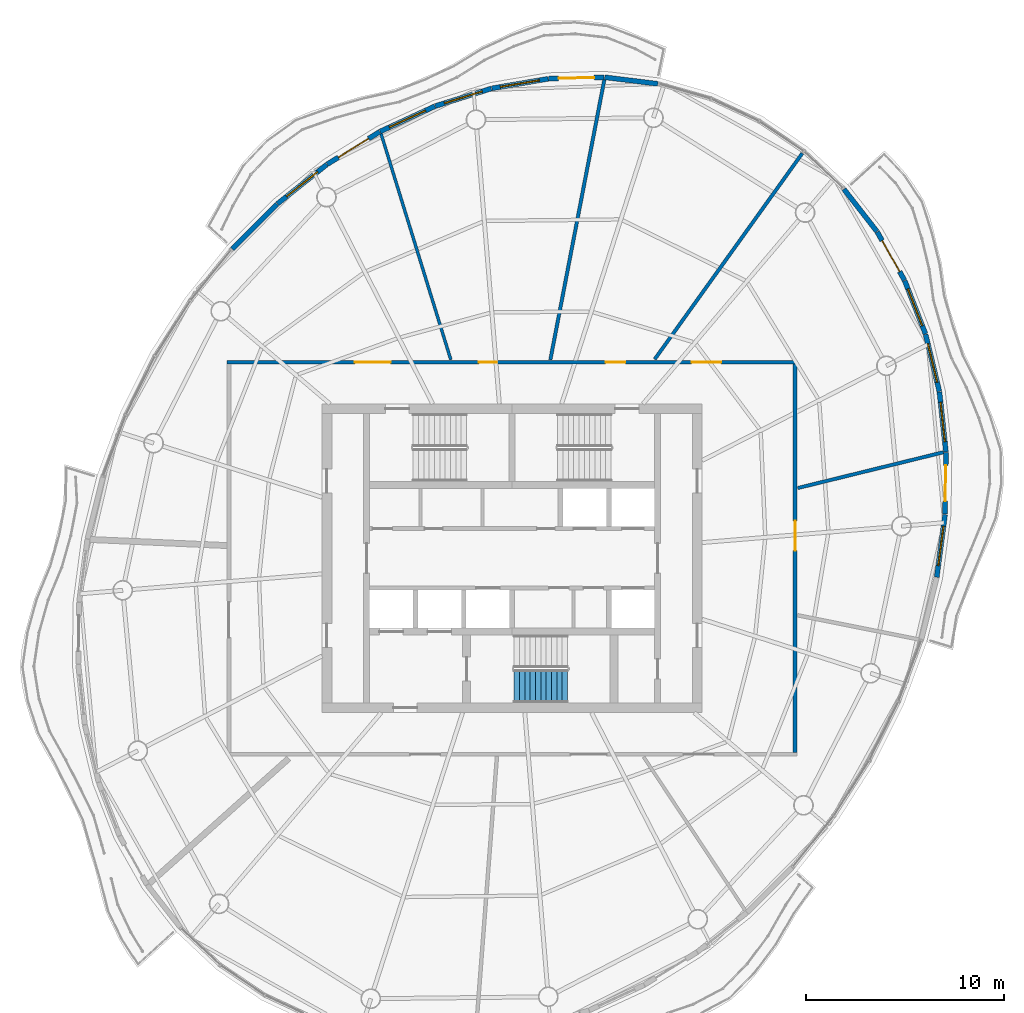
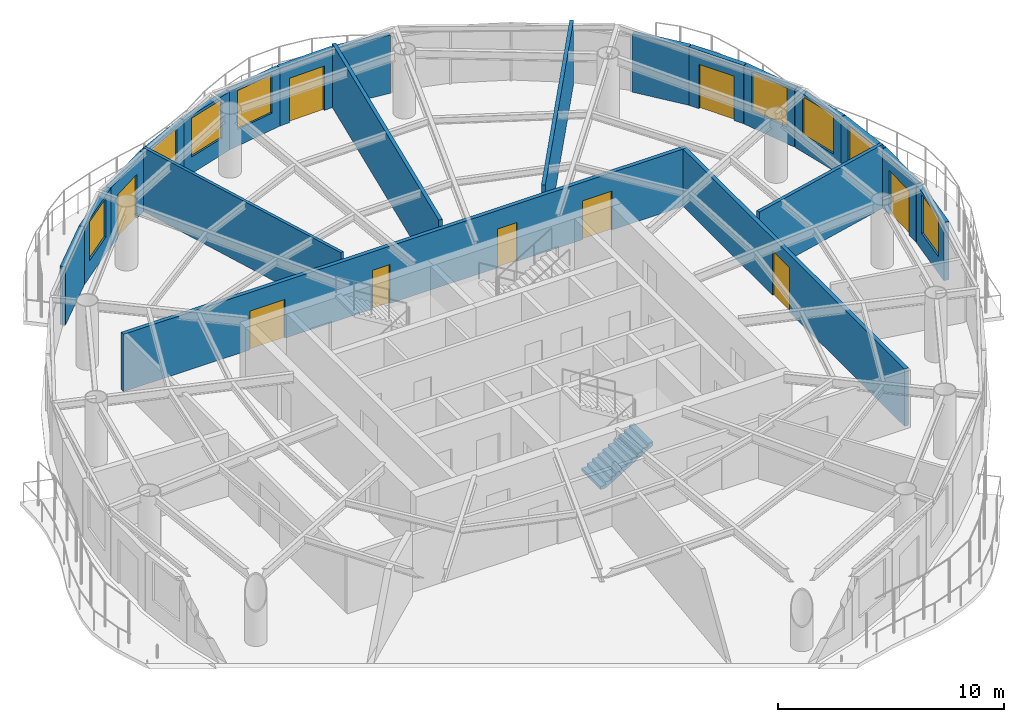
# One storey, part 9 of 13: 21 walls, 9 doors, 8 windows, 1 stair flight, 17 openings, 1 element without a shape of its own.
"""IFC4 building model written with IfcOpenShell, lengths in metres."""

import ifcopenshell
import ifcopenshell.guid

model = None  # the IFC model being written
_history = None  # IfcOwnerHistory: only IFC2X3 demands one
_inside = {}  # id of a spatial element -> (the spatial element, [elements in it])
_under = {}  # id of a project, library or spatial element -> (it, [spatial elements below it])
_declared = {}  # id of a project -> (the project, [libraries it declares])
_typed = {}  # id of a type object -> (the type object, [elements of that type])
_made_of = {}  # id of a material, layer set ... -> (it, [elements and type objects made of it])


def new_model(schema):
    """Start an empty IFC model of exactly this schema.

    Asked for "IFC4X3", IfcOpenShell would pick the latest addendum, in which some entities
    have other attributes; the version numbers below select the first issue.
    IFC2X3 requires an IfcOwnerHistory on every rooted entity: one is made here for all.
    """
    global model, _history
    if schema == "IFC4X3":
        model = ifcopenshell.file(schema_version=(4, 3, 0, 0))
    else:
        model = ifcopenshell.file(schema=schema)
    _inside.clear()
    _under.clear()
    _declared.clear()
    _typed.clear()
    _made_of.clear()
    _history = None
    if model.schema == "IFC2X3":
        org = make("IfcOrganization", Name="unknown")
        user = make(
            "IfcPersonAndOrganization",
            ThePerson=make("IfcPerson", FamilyName="unknown"),
            TheOrganization=org,
        )
        app = make(
            "IfcApplication",
            ApplicationDeveloper=org,
            Version="unknown",
            ApplicationFullName="unknown",
            ApplicationIdentifier="unknown",
        )
        _history = make(
            "IfcOwnerHistory",
            OwningUser=user,
            OwningApplication=app,
            ChangeAction="ADDED",
            CreationDate=0,
        )
    return model


def make(cls, **values):
    """One entity of the class cls with the attributes given. An attribute that is None is left unset."""
    return model.create_entity(
        cls, **{name: value for name, value in values.items() if value is not None}
    )


def rooted(cls, **values):
    """An entity with a GlobalId (a new one), such as an element, a storey or a relation."""
    return make(cls, GlobalId=ifcopenshell.guid.new(), OwnerHistory=_history, **values)


def si_unit(unit_type, name, prefix=None):
    """IfcSIUnit, for example si_unit("LENGTHUNIT", "METRE", prefix="MILLI")."""
    return make("IfcSIUnit", UnitType=unit_type, Prefix=prefix, Name=name)


def assignment(units):
    """IfcUnitAssignment: the units of a project."""
    return None if units is None else make("IfcUnitAssignment", Units=units)


def point(xyz):
    """IfcCartesianPoint."""
    return None if xyz is None else make("IfcCartesianPoint", Coordinates=xyz)


def direction(xyz):
    """IfcDirection."""
    return None if xyz is None else make("IfcDirection", DirectionRatios=xyz)


def frame(location, z_axis=None, x_axis=None):
    """IfcAxis2Placement3D, a coordinate frame: its origin and axes. An axis left out is left unset."""
    return make(
        "IfcAxis2Placement3D",
        Location=point(location),
        Axis=direction(z_axis),
        RefDirection=direction(x_axis),
    )


def frame_2d(location, x_axis=None):
    """IfcAxis2Placement2D, a coordinate frame in the plane: its origin and x axis."""
    return make(
        "IfcAxis2Placement2D", Location=point(location), RefDirection=direction(x_axis)
    )


def origin():
    """The frame at (0, 0, 0) with its axes left unset."""
    return frame((0.0, 0.0, 0.0))


def place(relative_to, where):
    """IfcLocalPlacement: puts the frame where relative to a parent placement (None: the world)."""
    return make(
        "IfcLocalPlacement", PlacementRelTo=relative_to, RelativePlacement=where
    )


def context(
    kind, dimensions, precision=None, world=None, true_north=None, identifier=None
):
    """IfcGeometricRepresentationContext, for example the 3D "Model" context."""
    return make(
        "IfcGeometricRepresentationContext",
        ContextIdentifier=identifier,
        ContextType=kind,
        CoordinateSpaceDimension=dimensions,
        Precision=precision,
        WorldCoordinateSystem=world,
        TrueNorth=true_north,
    )


def subcontext(parent, identifier, kind, view, scale=None):
    """IfcGeometricRepresentationSubContext, for example "Body" below "Model"."""
    return make(
        "IfcGeometricRepresentationSubContext",
        ContextIdentifier=identifier,
        ContextType=kind,
        ParentContext=parent,
        TargetScale=scale,
        TargetView=view,
    )


def project(units=None, contexts=None):
    """IfcProject with its units and contexts."""
    return rooted(
        "IfcProject",
        Name="project",
        RepresentationContexts=contexts,
        UnitsInContext=assignment(units),
    )


def spatial(cls, under=None, at=None, **own):
    """A site, building, storey or space (cls), placed at a placement, below another one or the project."""
    s = rooted(cls, ObjectPlacement=at, **own)
    if under is not None:
        _under.setdefault(under.id(), (under, []))[1].append(s)
    return s


def polyline(points):
    """IfcPolyline through the points."""
    return make("IfcPolyline", Points=[point(p) for p in points])


def profile(cls, at=None, kind="AREA", **sizes):
    """A parametric profile (cls). Its sizes go by their IFC names, for example OverallWidth=200.0."""
    return make(cls, ProfileType=kind, Position=at, **sizes)


def rectangle(**sizes):
    """IfcRectangleProfileDef."""
    return profile("IfcRectangleProfileDef", **sizes)


def outline(outer, holes=None, kind="AREA"):
    """IfcArbitraryClosedProfileDef: a profile drawn as a closed curve; with holes, ...WithVoids."""
    if holes is None:
        return make("IfcArbitraryClosedProfileDef", ProfileType=kind, OuterCurve=outer)
    return make(
        "IfcArbitraryProfileDefWithVoids",
        ProfileType=kind,
        OuterCurve=outer,
        InnerCurves=holes,
    )


def extrude(swept, where, along, depth):
    """IfcExtrudedAreaSolid: the profile swept, set in the frame where, extruded along a direction by depth."""
    return make(
        "IfcExtrudedAreaSolid",
        SweptArea=swept,
        Position=where,
        ExtrudedDirection=direction(along),
        Depth=depth,
    )


def shape(context_of_items, identifier, shape_type, items):
    """IfcShapeRepresentation: the items that make up one representation, for example the "Body"."""
    return make(
        "IfcShapeRepresentation",
        ContextOfItems=context_of_items,
        RepresentationIdentifier=identifier,
        RepresentationType=shape_type,
        Items=items,
    )


def material(Name=None, Category=None):
    """IfcMaterial."""
    return make("IfcMaterial", Name=Name, Category=Category)


def layer(
    of_material, thickness, ventilated=None, Name=None, Category=None, Priority=None
):
    """IfcMaterialLayer: one layer of a wall or slab, of a material (None: an air gap)."""
    return make(
        "IfcMaterialLayer",
        Material=of_material,
        LayerThickness=thickness,
        IsVentilated=ventilated,
        Name=Name,
        Category=Category,
        Priority=Priority,
    )


def layer_set(layers, Name=None):
    """IfcMaterialLayerSet."""
    return make("IfcMaterialLayerSet", MaterialLayers=layers, LayerSetName=Name)


def made_of(thing, what):
    """Note that an element or type object is made of a material, layer set ...; save() writes the relation."""
    if what is not None:
        _made_of.setdefault(what.id(), (what, []))[1].append(thing)
    return thing


def type_object(cls, material=None, **own):
    """A type object (cls), such as IfcWallType, which elements share."""
    return made_of(rooted(cls, **own), material)


def element(
    cls,
    number,
    at=None,
    inside=None,
    cuts=None,
    type_object=None,
    material=None,
    context=None,
    identifier="Body",
    shape_type=None,
    held_by="IfcProductDefinitionShape",
    body=None,
    shapes=None,
    **own,
):
    """One element of the class cls, such as IfcWall. Its Tag is "e" and its number.

    at: its placement. inside: the storey or other place that contains it. cuts: it is an
    opening in that element (IfcRelVoidsElement). A single representation is given by context,
    identifier, shape_type and body (its items); several are given by shapes. held_by: the class
    of the entity that holds the representations. save() writes the other relations.
    """
    e = rooted(cls, Tag="e%d" % number, ObjectPlacement=at, **own)
    if body is not None:
        shapes = [shape(context, identifier, shape_type, body)]
    if shapes is not None:
        e.Representation = make(held_by, Representations=shapes)
    if inside is not None:
        _inside.setdefault(inside.id(), (inside, []))[1].append(e)
    if cuts is not None:
        rooted(
            "IfcRelVoidsElement", RelatingBuildingElement=cuts, RelatedOpeningElement=e
        )
    if type_object is not None:
        _typed.setdefault(type_object.id(), (type_object, []))[1].append(e)
    return made_of(e, material)


def fill(opening, filler):
    """IfcRelFillsElement: the door or window that sits in an opening."""
    return rooted(
        "IfcRelFillsElement",
        RelatingOpeningElement=opening,
        RelatedBuildingElement=filler,
    )


def aggregate(whole, parts):
    """IfcRelAggregates: a whole, such as a stair, and the parts it consists of."""
    return rooted("IfcRelAggregates", RelatingObject=whole, RelatedObjects=parts)


def save(model, path):
    """Write the relations noted so far, then the file.

    IfcRelAggregates (storeys below a building ...), IfcRelContainedInSpatialStructure (elements
    in a storey), IfcRelDefinesByType, IfcRelAssociatesMaterial and IfcRelDeclares: one each for
    every whole, place, type object, material and project.
    """
    for whole, parts in _under.values():
        aggregate(whole, parts)
    for where, things in _inside.values():
        rooted(
            "IfcRelContainedInSpatialStructure",
            RelatedElements=things,
            RelatingStructure=where,
        )
    for kind, things in _typed.values():
        rooted("IfcRelDefinesByType", RelatedObjects=things, RelatingType=kind)
    for what, things in _made_of.values():
        rooted("IfcRelAssociatesMaterial", RelatedObjects=things, RelatingMaterial=what)
    for by, libraries in _declared.values():
        rooted("IfcRelDeclares", RelatingContext=by, RelatedDefinitions=libraries)
    model.write(path)


model = new_model("IFC4")

# Units and contexts
model_context = context("Model", 3, precision=1e-05, world=origin(), true_north=direction((0.0, 1.0)))
body_context = subcontext(model_context, "Body", "Model", "MODEL_VIEW")
ifc_project = project(units=[si_unit("LENGTHUNIT", "METRE"), si_unit("AREAUNIT", "SQUARE_METRE"), si_unit("VOLUMEUNIT", "CUBIC_METRE"), si_unit("PLANEANGLEUNIT", "RADIAN"), si_unit("MASSUNIT", "GRAM", prefix="KILO")], contexts=[model_context])

# Site, building, storey
site_placement = place(None, origin())
site = spatial("IfcSite", under=ifc_project, at=site_placement, CompositionType="ELEMENT")
building_placement = place(site_placement, origin())
building = spatial("IfcBuilding", under=site, at=building_placement, Name="Vermilion Reach Broadcast Tower", CompositionType="ELEMENT")
storey_placement = place(building_placement, frame((0.0, 0.0, 275.699951171875)))
storey = spatial("IfcBuildingStorey", under=building, at=storey_placement, Name="L68", CompositionType="ELEMENT", Elevation=275.699951171875)

# Walls
ifc_material_1 = material(Name="Lightweight concrete block, plastered", Category="concrete")
ifc_layer_1 = layer(ifc_material_1, 0.14990234375)
ifc_layer_set_1 = layer_set([ifc_layer_1], Name="Partition 150 lightweight block")
wall_type_1 = type_object("IfcWallType", Name="Partition 150 lightweight block", PredefinedType="PARTITIONING", material=ifc_layer_set_1)
wall_1_placement = place(storey_placement, frame((-12.61767578125, 21.437744140625, 0.0), z_axis=(0.0, 0.0, 1.0), x_axis=(0.294961677419, -0.955509083606, 0.0)))
element("IfcWall", 1, at=wall_1_placement, inside=storey, type_object=wall_type_1, Name="Partition 68.02", PredefinedType="PARTITIONING", context=body_context, shape_type="SweptSolid", body=[
    extrude(rectangle(XDim=11.947021484375, YDim=0.14990234375, at=frame_2d((5.9736328125, 0.0))), origin(), (0.0, 0.0, 1.0), 3.449951171875),
])
ifc_material_2 = material(Name="Fire-rated block, plastered")
ifc_layer_2 = layer(ifc_material_2, 0.175048828125)
ifc_layer_set_2 = layer_set([ifc_layer_2], Name="Partition 175 fire-rated block")
wall_type_2 = type_object("IfcWallType", Name="Partition 175 fire-rated block", PredefinedType="PARTITIONING", material=ifc_layer_set_2)
wall_2_placement = place(storey_placement, frame((-1.34130859375, 24.1689453125, 0.0), z_axis=(0.0, 0.0, 1.0), x_axis=(-0.189277110702, -0.981923711581, 0.0)))
element("IfcWall", 2, at=wall_2_placement, inside=storey, type_object=wall_type_2, Name="Partition 68.01", PredefinedType="PARTITIONING", context=body_context, shape_type="SweptSolid", body=[
    extrude(rectangle(XDim=14.412841796875, YDim=0.175048828125, at=frame_2d((7.20654296875, 0.0))), origin(), (0.0, 0.0, 1.0), 3.449951171875),
])
wall_3_placement = place(storey_placement, frame((15.787841796875, 5.353759765625, 0.0), z_axis=(0.0, 0.0, 1.0), x_axis=(-0.971109605093, -0.238633893016, 0.0)))
element("IfcWall", 3, at=wall_3_placement, inside=storey, type_object=wall_type_2, Name="Partition 68.08", PredefinedType="PARTITIONING", context=body_context, shape_type="SweptSolid", body=[
    extrude(rectangle(XDim=7.586181640625, YDim=0.175048828125, at=frame_2d((3.79296875, 0.0))), origin(), (0.0, 0.0, 1.0), 3.449951171875),
])
wall_4_placement = place(storey_placement, frame((8.65771484375, 20.453125, 0.0), z_axis=(0.0, 0.0, 1.0), x_axis=(-0.582506127463, -0.812826310763, 0.0)))
element("IfcWall", 4, at=wall_4_placement, inside=storey, type_object=wall_type_2, Name="Partition 68.09", PredefinedType="PARTITIONING", context=body_context, shape_type="SweptSolid", body=[
    extrude(rectangle(XDim=12.79736328125, YDim=0.175048828125, at=frame_2d((6.398681640625, 0.0))), origin(), (0.0, 0.0, 1.0), 3.449951171875),
])
ifc_material_3 = material(Name="Terracotta rainscreen cladding", Category="masonry")
ifc_layer_3 = layer(ifc_material_3, 0.25)
ifc_layer_set_3 = layer_set([ifc_layer_3], Name="Terracotta rainscreen wall 250")
wall_type_3 = type_object("IfcWallType", Name="Terracotta rainscreen wall 250", PredefinedType="SOLIDWALL", material=ifc_layer_set_3)
wall_5_placement = place(storey_placement, frame((1.36279296875, 23.961669921875, 0.0), z_axis=(0.0, 0.0, 1.0), x_axis=(-0.992517574304, 0.122101861978, 0.0)))
element("IfcWall", 5, at=wall_5_placement, inside=storey, type_object=wall_type_3, Name="External wall L68 02", PredefinedType="SOLIDWALL", context=body_context, shape_type="SweptSolid", body=[
    extrude(rectangle(XDim=2.705322265625, YDim=0.25, at=frame_2d((1.3525390625, 0.0))), origin(), (0.0, 0.0, 1.0), 3.150146484375),
])

# Wall, opening, door
wall_6_placement = place(storey_placement, frame((-1.3486328125, 24.29345703125, 0.0), z_axis=(0.0, 0.0, 1.0), x_axis=(-0.999646299505, -0.026594658985, 0.0)))
wall_6 = element("IfcWall", 6, at=wall_6_placement, inside=storey, type_object=wall_type_3, Name="External wall L68 03", PredefinedType="SOLIDWALL", context=body_context, shape_type="SweptSolid", body=[
    extrude(rectangle(XDim=2.80908203125, YDim=0.25, at=frame_2d((1.404541015625, 0.0))), origin(), (0.0, 0.0, 1.0), 3.150146484375),
])
opening_1_placement = place(wall_6_placement, frame((0.5048828125, 0.0, 0.0)))
opening_1 = element("IfcOpeningElement", 7, at=opening_1_placement, cuts=wall_6, Name="Opening D70", PredefinedType="OPENING", context=body_context, shape_type="SweptSolid", body=[
    extrude(rectangle(XDim=1.800048828125, YDim=2.39990234375, at=frame_2d((0.89990234375, 1.199951171875))), frame((0.0, 0.135009765625, 0.0), z_axis=(0.0, -1.0, 0.0), x_axis=(1.0, 0.0, 0.0)), (0.0, 0.0, 1.0), 0.27001953125),
])
ifc_material_4 = material(Name="Low-e laminated clear glass in aluminium frame", Category="aluminium")
door_type_1 = type_object("IfcDoorType", Name="Balcony sliding door 1800 x 2400", OperationType="DOUBLE_DOOR_SLIDING", PredefinedType="DOOR", material=ifc_material_4)
door_1_placement = place(opening_1_placement, origin())
door_1 = element("IfcDoor", 8, at=door_1_placement, inside=storey, type_object=door_type_1, Name="Balcony door L68 run 01", OperationType="DOUBLE_DOOR_SLIDING", OverallHeight=2.39990234375, OverallWidth=1.800048828125, PredefinedType="DOOR", context=body_context, shape_type="SweptSolid", body=[
    extrude(rectangle(XDim=1.800048828125, YDim=2.39990234375, at=frame_2d((0.89990234375, 1.199951171875))), frame((0.0, 0.02490234375, 0.0), z_axis=(0.0, -1.0, 0.0), x_axis=(1.0, 0.0, 0.0)), (0.0, 0.0, 1.0), 0.050048828125),
])
fill(opening_1, door_1)

# Wall, opening, window
wall_7_placement = place(storey_placement, frame((-4.182373046875, 24.21630859375, 0.0), z_axis=(0.0, 0.0, 1.0), x_axis=(-0.985778528765, -0.1680496719, 0.0)))
wall_7 = element("IfcWall", 9, at=wall_7_placement, inside=storey, type_object=wall_type_3, Name="External wall L68 04", PredefinedType="SOLIDWALL", context=body_context, shape_type="SweptSolid", body=[
    extrude(rectangle(XDim=2.8837890625, YDim=0.25, at=frame_2d((1.44189453125, 0.0))), origin(), (0.0, 0.0, 1.0), 3.150146484375),
])
opening_2_placement = place(wall_7_placement, frame((0.44189453125, 0.0, 0.89990234375)))
opening_2 = element("IfcOpeningElement", 10, at=opening_2_placement, cuts=wall_7, Name="Opening W03", PredefinedType="OPENING", context=body_context, shape_type="SweptSolid", body=[
    extrude(rectangle(XDim=2.0, YDim=2.10009765625, at=frame_2d((1.0, 1.050048828125))), frame((0.0, 0.135009765625, 0.0), z_axis=(0.0, -1.0, 0.0), x_axis=(1.0, 0.0, 0.0)), (0.0, 0.0, 1.0), 0.27001953125),
])
ifc_material_5 = material(Name="Low-e laminated clear glass in aluminium frame", Category="aluminium")
window_type = type_object("IfcWindowType", Name="Punched window 2000 x 2100 sill 900", PartitioningType="SINGLE_PANEL", PredefinedType="WINDOW", material=ifc_material_5)
window_1_placement = place(opening_2_placement, origin())
window_1 = element("IfcWindow", 11, at=window_1_placement, inside=storey, type_object=window_type, Name="Window L68 04", OverallHeight=2.10009765625, OverallWidth=2.0, PartitioningType="SINGLE_PANEL", PredefinedType="WINDOW", context=body_context, shape_type="SweptSolid", body=[
    extrude(rectangle(XDim=2.0, YDim=2.10009765625, at=frame_2d((1.0, 1.050048828125))), frame((0.0, 0.030029296875, 0.0), z_axis=(0.0, -1.0, 0.0), x_axis=(1.0, 0.0, 0.0)), (0.0, 0.0, 1.0), 0.06005859375),
])
fill(opening_2, window_1)

wall_8_placement = place(storey_placement, frame((-7.04931640625, 23.725830078125, 0.0), z_axis=(0.0, 0.0, 1.0), x_axis=(-0.954126194686, -0.299404750486, 0.0)))
wall_8 = element("IfcWall", 12, at=wall_8_placement, inside=storey, type_object=wall_type_3, Name="External wall L68 05", PredefinedType="SOLIDWALL", context=body_context, shape_type="SweptSolid", body=[
    extrude(rectangle(XDim=2.96484375, YDim=0.25, at=frame_2d((1.482421875, 0.0))), origin(), (0.0, 0.0, 1.0), 3.150146484375),
])
opening_3_placement = place(wall_8_placement, frame((0.482421875, 0.0, 0.89990234375)))
opening_3 = element("IfcOpeningElement", 13, at=opening_3_placement, cuts=wall_8, Name="Opening W03", PredefinedType="OPENING", context=body_context, shape_type="SweptSolid", body=[
    extrude(rectangle(XDim=2.0, YDim=2.10009765625, at=frame_2d((1.0, 1.050048828125))), frame((0.0, 0.135009765625, 0.0), z_axis=(0.0, -1.0, 0.0), x_axis=(1.0, 0.0, 0.0)), (0.0, 0.0, 1.0), 0.27001953125),
])
window_2_placement = place(opening_3_placement, origin())
window_2 = element("IfcWindow", 14, at=window_2_placement, inside=storey, type_object=window_type, Name="Window L68 05", OverallHeight=2.10009765625, OverallWidth=2.0, PartitioningType="SINGLE_PANEL", PredefinedType="WINDOW", context=body_context, shape_type="SweptSolid", body=[
    extrude(rectangle(XDim=2.0, YDim=2.10009765625, at=frame_2d((1.0, 1.050048828125))), frame((0.0, 0.030029296875, 0.0), z_axis=(0.0, -1.0, 0.0), x_axis=(1.0, 0.0, 0.0)), (0.0, 0.0, 1.0), 0.06005859375),
])
fill(opening_3, window_2)

wall_9_placement = place(storey_placement, frame((-9.900634765625, 22.82958984375, 0.0), z_axis=(0.0, 0.0, 1.0), x_axis=(-0.907907770621, -0.419169989438, 0.0)))
wall_9 = element("IfcWall", 15, at=wall_9_placement, inside=storey, type_object=wall_type_3, Name="External wall L68 06", PredefinedType="SOLIDWALL", context=body_context, shape_type="SweptSolid", body=[
    extrude(rectangle(XDim=3.046142578125, YDim=0.25, at=frame_2d((1.52294921875, 0.0))), origin(), (0.0, 0.0, 1.0), 3.150146484375),
])
opening_4_placement = place(wall_9_placement, frame((0.523193359375, 0.0, 0.89990234375)))
opening_4 = element("IfcOpeningElement", 16, at=opening_4_placement, cuts=wall_9, Name="Opening W03", PredefinedType="OPENING", context=body_context, shape_type="SweptSolid", body=[
    extrude(rectangle(XDim=2.0, YDim=2.10009765625, at=frame_2d((1.0, 1.050048828125))), frame((0.0, 0.135009765625, 0.0), z_axis=(0.0, -1.0, 0.0), x_axis=(1.0, 0.0, 0.0)), (0.0, 0.0, 1.0), 0.27001953125),
])
window_3_placement = place(opening_4_placement, origin())
window_3 = element("IfcWindow", 17, at=window_3_placement, inside=storey, type_object=window_type, Name="Window L68 06", OverallHeight=2.10009765625, OverallWidth=2.0, PartitioningType="SINGLE_PANEL", PredefinedType="WINDOW", context=body_context, shape_type="SweptSolid", body=[
    extrude(rectangle(XDim=2.0, YDim=2.10009765625, at=frame_2d((1.0, 1.050048828125))), frame((0.0, 0.030029296875, 0.0), z_axis=(0.0, -1.0, 0.0), x_axis=(1.0, 0.0, 0.0)), (0.0, 0.0, 1.0), 0.06005859375),
])
fill(opening_4, window_3)

# Wall, opening, door
wall_10_placement = place(storey_placement, frame((-12.686767578125, 21.541748046875, 0.0), z_axis=(0.0, 0.0, 1.0), x_axis=(-0.850108496559, -0.526607580726, 0.0)))
wall_10 = element("IfcWall", 18, at=wall_10_placement, inside=storey, type_object=wall_type_3, Name="External wall L68 07", PredefinedType="SOLIDWALL", context=body_context, shape_type="SweptSolid", body=[
    extrude(rectangle(XDim=3.122802734375, YDim=0.25, at=frame_2d((1.5615234375, 0.0))), origin(), (0.0, 0.0, 1.0), 3.150146484375),
])
opening_5_placement = place(wall_10_placement, frame((0.660888671875, 0.0, 0.0)))
opening_5 = element("IfcOpeningElement", 19, at=opening_5_placement, cuts=wall_10, Name="Opening D70", PredefinedType="OPENING", context=body_context, shape_type="SweptSolid", body=[
    extrude(rectangle(XDim=1.800048828125, YDim=2.39990234375, at=frame_2d((0.89990234375, 1.199951171875))), frame((0.0, 0.135009765625, 0.0), z_axis=(0.0, -1.0, 0.0), x_axis=(1.0, 0.0, 0.0)), (0.0, 0.0, 1.0), 0.27001953125),
])
door_2_placement = place(opening_5_placement, origin())
door_2 = element("IfcDoor", 20, at=door_2_placement, inside=storey, type_object=door_type_1, Name="Balcony door L68 run 02", OperationType="DOUBLE_DOOR_SLIDING", OverallHeight=2.39990234375, OverallWidth=1.800048828125, PredefinedType="DOOR", context=body_context, shape_type="SweptSolid", body=[
    extrude(rectangle(XDim=1.800048828125, YDim=2.39990234375, at=frame_2d((0.89990234375, 1.199951171875))), frame((0.0, 0.02490234375, 0.0), z_axis=(0.0, -1.0, 0.0), x_axis=(1.0, 0.0, 0.0)), (0.0, 0.0, 1.0), 0.050048828125),
])
fill(opening_5, door_2)

# Wall, opening, window
wall_11_placement = place(storey_placement, frame((-15.360107421875, 19.884033203125, 0.0), z_axis=(0.0, 0.0, 1.0), x_axis=(-0.782888253788, -0.622162343831, 0.0)))
wall_11 = element("IfcWall", 21, at=wall_11_placement, inside=storey, type_object=wall_type_3, Name="External wall L68 08", PredefinedType="SOLIDWALL", context=body_context, shape_type="SweptSolid", body=[
    extrude(rectangle(XDim=3.18994140625, YDim=0.25, at=frame_2d((1.594970703125, 0.0))), origin(), (0.0, 0.0, 1.0), 3.150146484375),
])
opening_6_placement = place(wall_11_placement, frame((0.594970703125, 0.0, 0.89990234375)))
opening_6 = element("IfcOpeningElement", 22, at=opening_6_placement, cuts=wall_11, Name="Opening W03", PredefinedType="OPENING", context=body_context, shape_type="SweptSolid", body=[
    extrude(rectangle(XDim=2.0, YDim=2.10009765625, at=frame_2d((1.0, 1.050048828125))), frame((0.0, 0.135009765625, 0.0), z_axis=(0.0, -1.0, 0.0), x_axis=(1.0, 0.0, 0.0)), (0.0, 0.0, 1.0), 0.27001953125),
])
window_4_placement = place(opening_6_placement, origin())
window_4 = element("IfcWindow", 23, at=window_4_placement, inside=storey, type_object=window_type, Name="Window L68 08", OverallHeight=2.10009765625, OverallWidth=2.0, PartitioningType="SINGLE_PANEL", PredefinedType="WINDOW", context=body_context, shape_type="SweptSolid", body=[
    extrude(rectangle(XDim=2.0, YDim=2.10009765625, at=frame_2d((1.0, 1.050048828125))), frame((0.0, 0.030029296875, 0.0), z_axis=(0.0, -1.0, 0.0), x_axis=(1.0, 0.0, 0.0)), (0.0, 0.0, 1.0), 0.06005859375),
])
fill(opening_6, window_4)

# Wall
wall_12_placement = place(storey_placement, frame((-17.8740234375, 17.884765625, 0.0), z_axis=(0.0, 0.0, 1.0), x_axis=(-0.707869406471, -0.706343332511, 0.0)))
element("IfcWall", 24, at=wall_12_placement, inside=storey, type_object=wall_type_3, Name="External wall L68 09", PredefinedType="SOLIDWALL", context=body_context, shape_type="SweptSolid", body=[
    extrude(rectangle(XDim=3.19970703125, YDim=0.25, at=frame_2d((1.599853515625, 0.0))), origin(), (0.0, 0.0, 1.0), 3.150146484375),
])

# Wall, opening, window
wall_13_placement = place(storey_placement, frame((15.448974609375, -0.9599609375, 0.0), z_axis=(0.0, 0.0, 1.0), x_axis=(0.130870245016, 0.99139950523, 0.0)))
wall_13 = element("IfcWall", 25, at=wall_13_placement, inside=storey, type_object=wall_type_3, Name="External wall L68 39", PredefinedType="SOLIDWALL", context=body_context, shape_type="SweptSolid", body=[
    extrude(rectangle(XDim=3.18994140625, YDim=0.25, at=frame_2d((1.594970703125, 0.0))), origin(), (0.0, 0.0, 1.0), 3.150146484375),
])
opening_7_placement = place(wall_13_placement, frame((0.594970703125, 0.0, 0.89990234375)))
opening_7 = element("IfcOpeningElement", 26, at=opening_7_placement, cuts=wall_13, Name="Opening W03", PredefinedType="OPENING", context=body_context, shape_type="SweptSolid", body=[
    extrude(rectangle(XDim=2.0, YDim=2.10009765625, at=frame_2d((1.0, 1.050048828125))), frame((0.0, 0.135009765625, 0.0), z_axis=(0.0, -1.0, 0.0), x_axis=(1.0, 0.0, 0.0)), (0.0, 0.0, 1.0), 0.27001953125),
])
window_5_placement = place(opening_7_placement, origin())
window_5 = element("IfcWindow", 27, at=window_5_placement, inside=storey, type_object=window_type, Name="Window L68 39", OverallHeight=2.10009765625, OverallWidth=2.0, PartitioningType="SINGLE_PANEL", PredefinedType="WINDOW", context=body_context, shape_type="SweptSolid", body=[
    extrude(rectangle(XDim=2.0, YDim=2.10009765625, at=frame_2d((1.0, 1.050048828125))), frame((0.0, 0.030029296875, 0.0), z_axis=(0.0, -1.0, 0.0), x_axis=(1.0, 0.0, 0.0)), (0.0, 0.0, 1.0), 0.06005859375),
])
fill(opening_7, window_5)

# Wall, opening, door
wall_14_placement = place(storey_placement, frame((15.867919921875, 2.22509765625, 0.0), z_axis=(0.0, 0.0, 1.0), x_axis=(0.014305470557, 0.999897671521, 0.0)))
wall_14 = element("IfcWall", 28, at=wall_14_placement, inside=storey, type_object=wall_type_3, Name="External wall L68 40", PredefinedType="SOLIDWALL", context=body_context, shape_type="SweptSolid", body=[
    extrude(rectangle(XDim=3.123046875, YDim=0.25, at=frame_2d((1.5615234375, 0.0))), origin(), (0.0, 0.0, 1.0), 3.150146484375),
])
opening_8_placement = place(wall_14_placement, frame((0.660888671875, 0.0, 0.0)))
opening_8 = element("IfcOpeningElement", 29, at=opening_8_placement, cuts=wall_14, Name="Opening D70", PredefinedType="OPENING", context=body_context, shape_type="SweptSolid", body=[
    extrude(rectangle(XDim=1.800048828125, YDim=2.39990234375, at=frame_2d((0.89990234375, 1.199951171875))), frame((0.0, 0.135009765625, 0.0), z_axis=(0.0, -1.0, 0.0), x_axis=(1.0, 0.0, 0.0)), (0.0, 0.0, 1.0), 0.27001953125),
])
door_3_placement = place(opening_8_placement, origin())
door_3 = element("IfcDoor", 30, at=door_3_placement, inside=storey, type_object=door_type_1, Name="Balcony door L68 run 10", OperationType="DOUBLE_DOOR_SLIDING", OverallHeight=2.39990234375, OverallWidth=1.800048828125, PredefinedType="DOOR", context=body_context, shape_type="SweptSolid", body=[
    extrude(rectangle(XDim=1.800048828125, YDim=2.39990234375, at=frame_2d((0.89990234375, 1.199951171875))), frame((0.0, 0.02490234375, 0.0), z_axis=(0.0, -1.0, 0.0), x_axis=(1.0, 0.0, 0.0)), (0.0, 0.0, 1.0), 0.050048828125),
])
fill(opening_8, door_3)

# Wall, opening, window
wall_15_placement = place(storey_placement, frame((15.91162109375, 5.37109375, 0.0), z_axis=(0.0, 0.0, 1.0), x_axis=(-0.107713070427, 0.9941820228, 0.0)))
wall_15 = element("IfcWall", 31, at=wall_15_placement, inside=storey, type_object=wall_type_3, Name="External wall L68 41", PredefinedType="SOLIDWALL", context=body_context, shape_type="SweptSolid", body=[
    extrude(rectangle(XDim=3.04638671875, YDim=0.25, at=frame_2d((1.523193359375, 0.0))), origin(), (0.0, 0.0, 1.0), 3.150146484375),
])
opening_9_placement = place(wall_15_placement, frame((0.523193359375, 0.0, 0.89990234375)))
opening_9 = element("IfcOpeningElement", 32, at=opening_9_placement, cuts=wall_15, Name="Opening W03", PredefinedType="OPENING", context=body_context, shape_type="SweptSolid", body=[
    extrude(rectangle(XDim=2.0, YDim=2.10009765625, at=frame_2d((1.0, 1.050048828125))), frame((0.0, 0.135009765625, 0.0), z_axis=(0.0, -1.0, 0.0), x_axis=(1.0, 0.0, 0.0)), (0.0, 0.0, 1.0), 0.27001953125),
])
window_6_placement = place(opening_9_placement, origin())
window_6 = element("IfcWindow", 33, at=window_6_placement, inside=storey, type_object=window_type, Name="Window L68 41", OverallHeight=2.10009765625, OverallWidth=2.0, PartitioningType="SINGLE_PANEL", PredefinedType="WINDOW", context=body_context, shape_type="SweptSolid", body=[
    extrude(rectangle(XDim=2.0, YDim=2.10009765625, at=frame_2d((1.0, 1.050048828125))), frame((0.0, 0.030029296875, 0.0), z_axis=(0.0, -1.0, 0.0), x_axis=(1.0, 0.0, 0.0)), (0.0, 0.0, 1.0), 0.06005859375),
])
fill(opening_9, window_6)

wall_16_placement = place(storey_placement, frame((15.579345703125, 8.42333984375, 0.0), z_axis=(0.0, 0.0, 1.0), x_axis=(-0.234039423918, 0.97222710724, 0.0)))
wall_16 = element("IfcWall", 34, at=wall_16_placement, inside=storey, type_object=wall_type_3, Name="External wall L68 42", PredefinedType="SOLIDWALL", context=body_context, shape_type="SweptSolid", body=[
    extrude(rectangle(XDim=2.964599609375, YDim=0.25, at=frame_2d((1.482421875, 0.0))), origin(), (0.0, 0.0, 1.0), 3.150146484375),
])
opening_10_placement = place(wall_16_placement, frame((0.482421875, 0.0, 0.89990234375)))
opening_10 = element("IfcOpeningElement", 35, at=opening_10_placement, cuts=wall_16, Name="Opening W03", PredefinedType="OPENING", context=body_context, shape_type="SweptSolid", body=[
    extrude(rectangle(XDim=2.0, YDim=2.10009765625, at=frame_2d((1.0, 1.050048828125))), frame((0.0, 0.135009765625, 0.0), z_axis=(0.0, -1.0, 0.0), x_axis=(1.0, 0.0, 0.0)), (0.0, 0.0, 1.0), 0.27001953125),
])
window_7_placement = place(opening_10_placement, origin())
window_7 = element("IfcWindow", 36, at=window_7_placement, inside=storey, type_object=window_type, Name="Window L68 42", OverallHeight=2.10009765625, OverallWidth=2.0, PartitioningType="SINGLE_PANEL", PredefinedType="WINDOW", context=body_context, shape_type="SweptSolid", body=[
    extrude(rectangle(XDim=2.0, YDim=2.10009765625, at=frame_2d((1.0, 1.050048828125))), frame((0.0, 0.030029296875, 0.0), z_axis=(0.0, -1.0, 0.0), x_axis=(1.0, 0.0, 0.0)), (0.0, 0.0, 1.0), 0.06005859375),
])
fill(opening_10, window_7)

wall_17_placement = place(storey_placement, frame((14.8779296875, 11.329345703125, 0.0), z_axis=(0.0, 0.0, 1.0), x_axis=(-0.363026334358, 0.931778879651, 0.0)))
wall_17 = element("IfcWall", 37, at=wall_17_placement, inside=storey, type_object=wall_type_3, Name="External wall L68 43", PredefinedType="SOLIDWALL", context=body_context, shape_type="SweptSolid", body=[
    extrude(rectangle(XDim=2.8837890625, YDim=0.25, at=frame_2d((1.44189453125, 0.0))), origin(), (0.0, 0.0, 1.0), 3.150146484375),
])
opening_11_placement = place(wall_17_placement, frame((0.44189453125, 0.0, 0.89990234375)))
opening_11 = element("IfcOpeningElement", 38, at=opening_11_placement, cuts=wall_17, Name="Opening W03", PredefinedType="OPENING", context=body_context, shape_type="SweptSolid", body=[
    extrude(rectangle(XDim=2.0, YDim=2.10009765625, at=frame_2d((1.0, 1.050048828125))), frame((0.0, 0.135009765625, 0.0), z_axis=(0.0, -1.0, 0.0), x_axis=(1.0, 0.0, 0.0)), (0.0, 0.0, 1.0), 0.27001953125),
])
window_8_placement = place(opening_11_placement, origin())
window_8 = element("IfcWindow", 39, at=window_8_placement, inside=storey, type_object=window_type, Name="Window L68 43", OverallHeight=2.10009765625, OverallWidth=2.0, PartitioningType="SINGLE_PANEL", PredefinedType="WINDOW", context=body_context, shape_type="SweptSolid", body=[
    extrude(rectangle(XDim=2.0, YDim=2.10009765625, at=frame_2d((1.0, 1.050048828125))), frame((0.0, 0.030029296875, 0.0), z_axis=(0.0, -1.0, 0.0), x_axis=(1.0, 0.0, 0.0)), (0.0, 0.0, 1.0), 0.06005859375),
])
fill(opening_11, window_8)

# Wall, opening, door
wall_18_placement = place(storey_placement, frame((13.820068359375, 14.039794921875, 0.0), z_axis=(0.0, 0.0, 1.0), x_axis=(-0.491498689368, 0.870878314318, 0.0)))
wall_18 = element("IfcWall", 40, at=wall_18_placement, inside=storey, type_object=wall_type_3, Name="External wall L68 44", PredefinedType="SOLIDWALL", context=body_context, shape_type="SweptSolid", body=[
    extrude(rectangle(XDim=2.80908203125, YDim=0.25, at=frame_2d((1.404541015625, 0.0))), origin(), (0.0, 0.0, 1.0), 3.150146484375),
])
opening_12_placement = place(wall_18_placement, frame((0.5048828125, 0.0, 0.0)))
opening_12 = element("IfcOpeningElement", 41, at=opening_12_placement, cuts=wall_18, Name="Opening D70", PredefinedType="OPENING", context=body_context, shape_type="SweptSolid", body=[
    extrude(rectangle(XDim=1.800048828125, YDim=2.39990234375, at=frame_2d((0.89990234375, 1.199951171875))), frame((0.0, 0.135009765625, 0.0), z_axis=(0.0, -1.0, 0.0), x_axis=(1.0, 0.0, 0.0)), (0.0, 0.0, 1.0), 0.27001953125),
])
door_4_placement = place(opening_12_placement, origin())
door_4 = element("IfcDoor", 42, at=door_4_placement, inside=storey, type_object=door_type_1, Name="Balcony door L68 run 11", OperationType="DOUBLE_DOOR_SLIDING", OverallHeight=2.39990234375, OverallWidth=1.800048828125, PredefinedType="DOOR", context=body_context, shape_type="SweptSolid", body=[
    extrude(rectangle(XDim=1.800048828125, YDim=2.39990234375, at=frame_2d((0.89990234375, 1.199951171875))), frame((0.0, 0.02490234375, 0.0), z_axis=(0.0, -1.0, 0.0), x_axis=(1.0, 0.0, 0.0)), (0.0, 0.0, 1.0), 0.050048828125),
])
fill(opening_12, door_4)

# Wall
wall_19_placement = place(storey_placement, frame((12.424560546875, 16.50830078125, 0.0), z_axis=(0.0, 0.0, 1.0), x_axis=(-0.615339251215, 0.788262396613, 0.0)))
element("IfcWall", 43, at=wall_19_placement, inside=storey, type_object=wall_type_3, Name="External wall L68 45", PredefinedType="SOLIDWALL", context=body_context, shape_type="SweptSolid", body=[
    extrude(rectangle(XDim=2.705078125, YDim=0.25, at=frame_2d((1.3525390625, 0.0))), origin(), (0.0, 0.0, 1.0), 3.150146484375),
])

# Wall, openings, doors
ifc_material_6 = material(Name="Fire-rated gypsum board partition")
ifc_layer_4 = layer(ifc_material_6, 0.199951171875)
ifc_layer_set_4 = layer_set([ifc_layer_4], Name="Under girder: Corridor wall 200 fire-rated")
wall_type_4 = type_object("IfcWallType", Name="Under girder: Corridor wall 200 fire-rated", PredefinedType="PARTITIONING", material=ifc_layer_set_4)
wall_20_placement = place(storey_placement, frame((-20.39990234375, 9.89990234375, 0.0), z_axis=(0.0, 0.0, 1.0), x_axis=(1.0, 0.0, 0.0)))
wall_20 = element("IfcWall", 44, at=wall_20_placement, inside=storey, type_object=wall_type_4, Name="Corridor wall 68.N", PredefinedType="PARTITIONING", context=body_context, shape_type="SweptSolid", body=[
    extrude(rectangle(XDim=28.7998046875, YDim=0.199951171875, at=frame_2d((14.39990234375, 0.0))), origin(), (0.0, 0.0, 1.0), 3.10009765625),
])
opening_13_placement = place(wall_20_placement, frame((12.722412109375, 0.0, 0.0)))
opening_13 = element("IfcOpeningElement", 45, at=opening_13_placement, cuts=wall_20, Name="Opening D22", PredefinedType="OPENING", context=body_context, shape_type="SweptSolid", body=[
    extrude(rectangle(XDim=0.89990234375, YDim=2.10009765625, at=frame_2d((0.449951171875, 1.050048828125))), frame((0.0, 0.10986328125, 0.0), z_axis=(0.0, -1.0, 0.0), x_axis=(1.0, 0.0, 0.0)), (0.0, 0.0, 1.0), 0.219970703125),
])
opening_14_placement = place(wall_20_placement, frame((6.459228515625, 0.0, 0.0)))
opening_14 = element("IfcOpeningElement", 46, at=opening_14_placement, cuts=wall_20, Name="Opening D21", PredefinedType="OPENING", context=body_context, shape_type="SweptSolid", body=[
    extrude(rectangle(XDim=1.800048828125, YDim=2.10009765625, at=frame_2d((0.89990234375, 1.050048828125))), frame((0.0, 0.10986328125, 0.0), z_axis=(0.0, -1.0, 0.0), x_axis=(1.0, 0.0, 0.0)), (0.0, 0.0, 1.0), 0.219970703125),
])
opening_15_placement = place(wall_20_placement, frame((23.46142578125, 0.0, 0.0)))
opening_15 = element("IfcOpeningElement", 47, at=opening_15_placement, cuts=wall_20, Name="Opening D24", PredefinedType="OPENING", context=body_context, shape_type="SweptSolid", body=[
    extrude(rectangle(XDim=1.5, YDim=2.10009765625, at=frame_2d((0.75, 1.050048828125))), frame((0.0, 0.10986328125, 0.0), z_axis=(0.0, -1.0, 0.0), x_axis=(1.0, 0.0, 0.0)), (0.0, 0.0, 1.0), 0.219970703125),
])
opening_16_placement = place(wall_20_placement, frame((19.119873046875, 0.0, 0.0)))
opening_16 = element("IfcOpeningElement", 48, at=opening_16_placement, cuts=wall_20, Name="Opening D20", PredefinedType="OPENING", context=body_context, shape_type="SweptSolid", body=[
    extrude(rectangle(XDim=1.0, YDim=2.10009765625, at=frame_2d((0.5, 1.050048828125))), frame((0.0, 0.10986328125, 0.0), z_axis=(0.0, -1.0, 0.0), x_axis=(1.0, 0.0, 0.0)), (0.0, 0.0, 1.0), 0.219970703125),
])
ifc_material_7 = material(Name="Timber door leaf", Category="wood")
door_type_2 = type_object("IfcDoorType", Name="Door pair 1500x2100", OperationType="NOTDEFINED", PredefinedType="DOOR", material=ifc_material_7)
door_5_placement = place(opening_15_placement, origin())
door_5 = element("IfcDoor", 49, at=door_5_placement, inside=storey, type_object=door_type_2, Name="Door 68.08", OperationType="DOUBLE_DOOR_SINGLE_SWING", OverallHeight=2.10009765625, OverallWidth=1.5, PredefinedType="DOOR", context=body_context, shape_type="SweptSolid", body=[
    extrude(rectangle(XDim=1.5, YDim=2.10009765625, at=frame_2d((0.75, 1.050048828125))), frame((0.0, 0.02490234375, 0.0), z_axis=(0.0, -1.0, 0.0), x_axis=(1.0, 0.0, 0.0)), (0.0, 0.0, 1.0), 0.050048828125),
])
fill(opening_15, door_5)
ifc_material_8 = material(Name="Timber door leaf", Category="wood")
door_type_3 = type_object("IfcDoorType", Name="Door pair 1800x2100", OperationType="NOTDEFINED", PredefinedType="DOOR", material=ifc_material_8)
door_6_placement = place(opening_14_placement, origin())
door_6 = element("IfcDoor", 50, at=door_6_placement, inside=storey, type_object=door_type_3, Name="Door 68.02", OperationType="DOUBLE_DOOR_SINGLE_SWING", OverallHeight=2.10009765625, OverallWidth=1.800048828125, PredefinedType="DOOR", context=body_context, shape_type="SweptSolid", body=[
    extrude(rectangle(XDim=1.800048828125, YDim=2.10009765625, at=frame_2d((0.89990234375, 1.050048828125))), frame((0.0, 0.02490234375, 0.0), z_axis=(0.0, -1.0, 0.0), x_axis=(1.0, 0.0, 0.0)), (0.0, 0.0, 1.0), 0.050048828125),
])
fill(opening_14, door_6)
ifc_material_9 = material(Name="Timber door leaf", Category="wood")
door_type_4 = type_object("IfcDoorType", Name="Door single 1000x2100", OperationType="NOTDEFINED", PredefinedType="DOOR", material=ifc_material_9)
door_7_placement = place(opening_16_placement, origin())
door_7 = element("IfcDoor", 51, at=door_7_placement, inside=storey, type_object=door_type_4, Name="Door 68.09", OperationType="SINGLE_SWING_RIGHT", OverallHeight=2.10009765625, OverallWidth=1.0, PredefinedType="DOOR", context=body_context, shape_type="SweptSolid", body=[
    extrude(rectangle(XDim=1.0, YDim=2.10009765625, at=frame_2d((0.5, 1.050048828125))), frame((0.0, 0.02490234375, 0.0), z_axis=(0.0, -1.0, 0.0), x_axis=(1.0, 0.0, 0.0)), (0.0, 0.0, 1.0), 0.050048828125),
])
fill(opening_16, door_7)
ifc_material_10 = material(Name="Timber door leaf", Category="wood")
door_type_5 = type_object("IfcDoorType", Name="Door single 900x2100", OperationType="NOTDEFINED", PredefinedType="DOOR", material=ifc_material_10)
door_8_placement = place(opening_13_placement, origin())
door_8 = element("IfcDoor", 52, at=door_8_placement, inside=storey, type_object=door_type_5, Name="Door 68.01", OperationType="SINGLE_SWING_LEFT", OverallHeight=2.10009765625, OverallWidth=0.89990234375, PredefinedType="DOOR", context=body_context, shape_type="SweptSolid", body=[
    extrude(rectangle(XDim=0.89990234375, YDim=2.10009765625, at=frame_2d((0.449951171875, 1.050048828125))), frame((0.0, 0.02490234375, 0.0), z_axis=(0.0, -1.0, 0.0), x_axis=(1.0, 0.0, 0.0)), (0.0, 0.0, 1.0), 0.050048828125),
])
fill(opening_13, door_8)

# Wall, opening, door
wall_21_placement = place(storey_placement, frame((8.300048828125, 9.800048828125, 0.0), z_axis=(0.0, 0.0, 1.0), x_axis=(0.0, -1.0, 0.0)))
wall_21 = element("IfcWall", 53, at=wall_21_placement, inside=storey, type_object=wall_type_4, Name="Corridor wall 68.E", PredefinedType="PARTITIONING", context=body_context, shape_type="SweptSolid", body=[
    extrude(rectangle(XDim=19.60009765625, YDim=0.199951171875, at=frame_2d((9.800048828125, 0.0))), origin(), (0.0, 0.0, 1.0), 3.10009765625),
])
opening_17_placement = place(wall_21_placement, frame((7.9111328125, 0.0, 0.0)))
opening_17 = element("IfcOpeningElement", 54, at=opening_17_placement, cuts=wall_21, Name="Opening D25", PredefinedType="OPENING", context=body_context, shape_type="SweptSolid", body=[
    extrude(rectangle(XDim=1.5, YDim=2.39990234375, at=frame_2d((0.75, 1.199951171875))), frame((0.0, 0.10986328125, 0.0), z_axis=(0.0, -1.0, 0.0), x_axis=(1.0, 0.0, 0.0)), (0.0, 0.0, 1.0), 0.219970703125),
])
ifc_material_11 = material(Name="Glazed timber door leaf", Category="wood")
door_type_6 = type_object("IfcDoorType", Name="Door pair 1500x2400", OperationType="NOTDEFINED", PredefinedType="DOOR", material=ifc_material_11)
door_9_placement = place(opening_17_placement, origin())
door_9 = element("IfcDoor", 55, at=door_9_placement, inside=storey, type_object=door_type_6, Name="Door 68.07", OperationType="DOUBLE_DOOR_SINGLE_SWING", OverallHeight=2.39990234375, OverallWidth=1.5, PredefinedType="DOOR", context=body_context, shape_type="SweptSolid", body=[
    extrude(rectangle(XDim=1.5, YDim=2.39990234375, at=frame_2d((0.75, 1.199951171875))), frame((0.0, 0.02490234375, 0.0), z_axis=(0.0, -1.0, 0.0), x_axis=(1.0, 0.0, 0.0)), (0.0, 0.0, 1.0), 0.050048828125),
])
fill(opening_17, door_9)

# Stair, stair flight
ifc_material_12 = material(Name="Concrete C40", Category="concrete")
stair_type = type_object("IfcStairType", Name="Exit stair RC 22 risers 164 mm", PredefinedType="HALF_TURN_STAIR", material=ifc_material_12)
stair_placement = place(storey_placement, origin())
stair = element("IfcStair", 56, at=stair_placement, inside=storey, type_object=stair_type, Name="L68 Exit stair ST3", PredefinedType="HALF_TURN_STAIR")
ifc_material_13 = material(Name="Concrete C40", Category="concrete")
stair_flight_type = type_object("IfcStairFlightType", Name="Exit stair flight RC 11 risers", PredefinedType="STRAIGHT", material=ifc_material_13)
stair_flight_placement = place(storey_placement, frame((-5.89990234375, -6.469970703125, 0.0), z_axis=(0.0, 0.0, 1.0), x_axis=(1.0, 0.0, 0.0)))
stair_flight = element("IfcStairFlight", 57, at=stair_flight_placement, type_object=stair_flight_type, Name="ST3 flight 1", NumberOfRisers=11, NumberOfTreads=10, PredefinedType="STRAIGHT", RiserHeight=0.163636364, TreadLength=0.27, context=body_context, shape_type="SweptSolid", body=[
    extrude(outline(polyline([(0.0, 0.0), (0.0, 0.16357421875), (0.27001953125, 0.16357421875), (0.27001953125, 0.327392578125), (0.5400390625, 0.327392578125), (0.5400390625, 0.490966796875), (0.81005859375, 0.490966796875), (0.81005859375, 0.654541015625), (1.080078125, 0.654541015625), (1.080078125, 0.818115234375), (1.35009765625, 0.818115234375), (1.35009765625, 0.98193359375), (1.6201171875, 0.98193359375), (1.6201171875, 1.1455078125), (1.889892578125, 1.1455078125), (1.889892578125, 1.30908203125), (2.159912109375, 1.30908203125), (2.159912109375, 1.47265625), (2.429931640625, 1.47265625), (2.429931640625, 1.636474609375), (2.699951171875, 1.636474609375), (2.699951171875, 1.800048828125), (2.699951171875, 1.461181640625), (0.289306640625, 0.0), (0.0, 0.0)])), frame((0.0, 0.830078125, 0.0), z_axis=(0.0, -1.0, 0.0), x_axis=(1.0, 0.0, 0.0)), (0.0, 0.0, 1.0), 1.659912109375),
])
aggregate(stair, [stair_flight])

save(model, "model.ifc")
